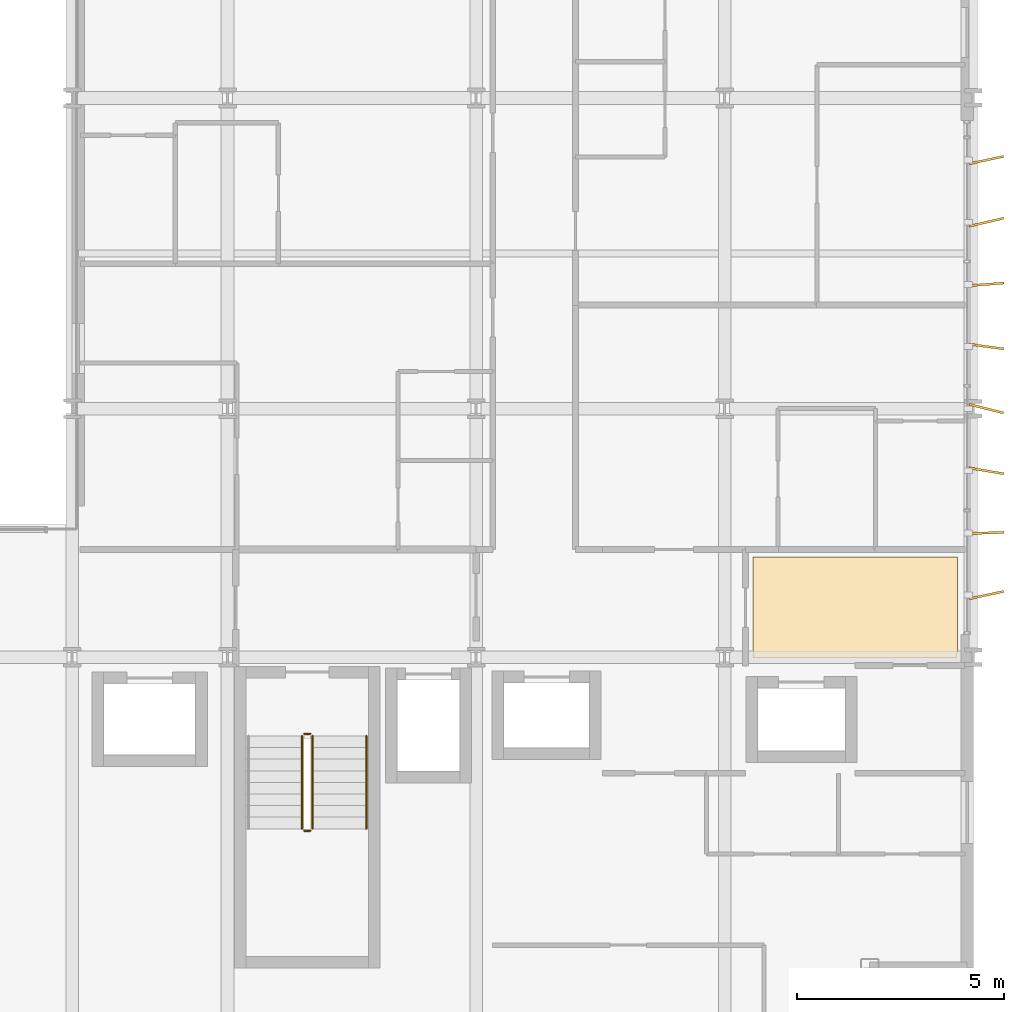
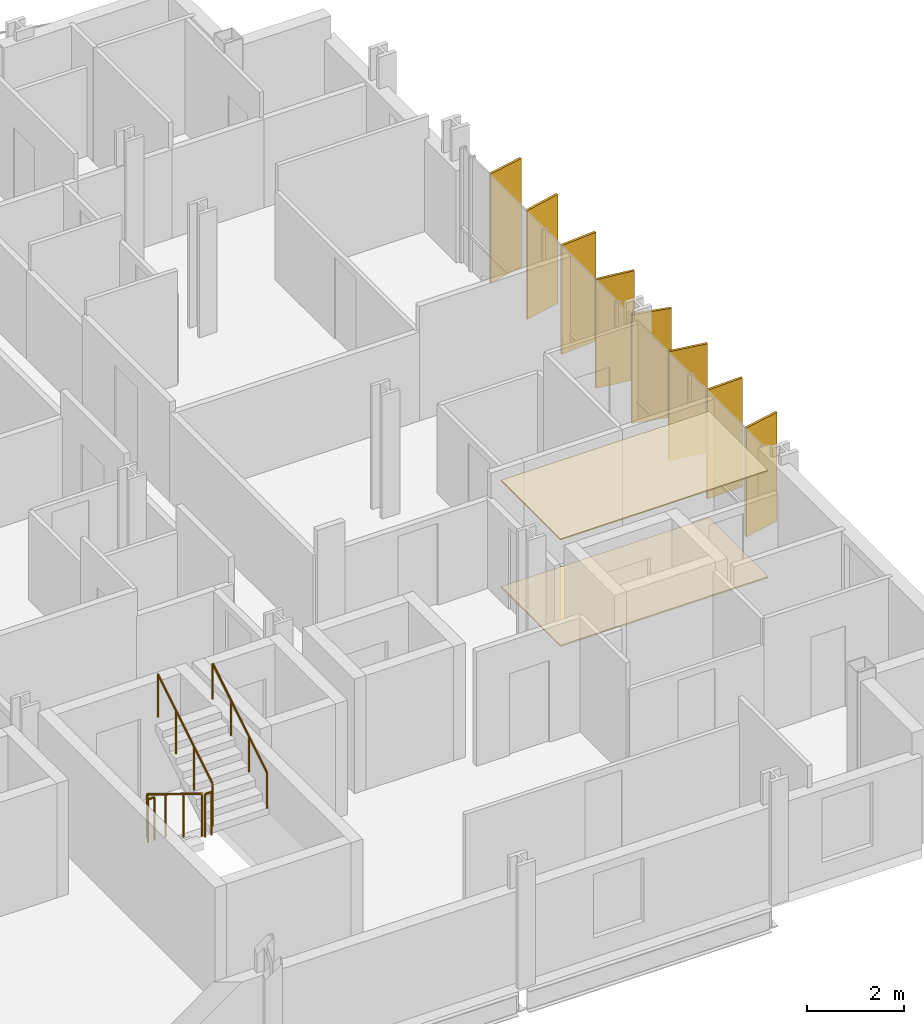
# One storey, part 37 of 38: 8 shading devices, 5 railings, 2 coverings.
"""IFC4 building model written with IfcOpenShell, lengths in metres."""

from ifc_helpers import new_model, si_unit, direction, frame, origin, origin_2d, place, context, subcontext, project, spatial, polyline, rectangle, circle, outline, extrude, material, layer, layer_set, type_object, element, save


model = new_model("IFC4")

# Units and contexts
model_context = context("Model", 3, precision=1e-05, world=origin(), true_north=direction((0.0, 1.0)))
body_context = subcontext(model_context, "Body", "Model", "MODEL_VIEW")
ifc_project = project(units=[si_unit("LENGTHUNIT", "METRE"), si_unit("AREAUNIT", "SQUARE_METRE"), si_unit("VOLUMEUNIT", "CUBIC_METRE"), si_unit("PLANEANGLEUNIT", "RADIAN"), si_unit("MASSUNIT", "GRAM", prefix="KILO")], contexts=[model_context])

# Site, building, storey
site_placement = place(None, origin())
site = spatial("IfcSite", under=ifc_project, at=site_placement, CompositionType="ELEMENT")
building_placement = place(site_placement, origin())
building = spatial("IfcBuilding", under=site, at=building_placement, Name="Brevholm Reach", CompositionType="ELEMENT")
storey_placement = place(building_placement, frame((0.0, 0.0, 52.800048828125)))
storey = spatial("IfcBuildingStorey", under=building, at=storey_placement, Name="L14", CompositionType="ELEMENT", Elevation=52.800048828125)

# Coverings
ifc_material_1 = material(Name="Moisture-Resistant Skimmed Gypsum Plasterboard Ceiling", Category="gypsum")
ifc_layer_1 = layer(ifc_material_1, 0.030029296875)
ifc_layer_set_1 = layer_set([ifc_layer_1], Name="Moisture-Resistant Skimmed Gypsum Plasterboard Ceiling")
covering_type_1 = type_object("IfcCoveringType", Name="COV-CLG-GYP", PredefinedType="CEILING", material=ifc_layer_set_1)
covering_1_placement = place(storey_placement, frame((0.0, 0.0, 2.669921875)))
element("IfcCovering", 1, at=covering_1_placement, inside=storey, type_object=covering_type_1, Name="L14 Suspended Ceiling L14-33", PredefinedType="CEILING", context=body_context, shape_type="SweptSolid", body=[
    extrude(outline(polyline([(59.6201171875, 12.419921875), (59.6201171875, 10.123779296875), (59.6171875, 10.1162109375), (59.607666015625, 10.077880859375), (59.601806640625, 10.039306640625), (59.60009765625, 10.0), (59.60107421875, 9.97998046875), (54.68408203125, 9.97998046875), (54.68408203125, 12.419921875), (59.6201171875, 12.419921875)])), origin(), (0.0, 0.0, 1.0), 0.030029296875),
])
ifc_material_2 = material(Name="Honed Portland-Aggregate Resin Terrazzo Flooring", Category="concrete")
ifc_layer_2 = layer(ifc_material_2, 0.031982421875)
ifc_layer_set_2 = layer_set([ifc_layer_2], Name="Honed Portland-Aggregate Resin Terrazzo Flooring")
covering_type_2 = type_object("IfcCoveringType", Name="COV-FLR-TRZ", PredefinedType="FLOORING", material=ifc_layer_set_2)
covering_2_placement = place(storey_placement, origin())
element("IfcCovering", 2, at=covering_2_placement, inside=storey, type_object=covering_type_2, Name="L14 Floor Finish L14-33", PredefinedType="FLOORING", context=body_context, shape_type="SweptSolid", body=[
    extrude(outline(polyline([(59.6201171875, 12.419921875), (59.6201171875, 10.123779296875), (59.6171875, 10.1162109375), (59.607666015625, 10.077880859375), (59.601806640625, 10.039306640625), (59.60009765625, 10.0), (59.60107421875, 9.97998046875), (54.68408203125, 9.97998046875), (54.68408203125, 12.419921875), (59.6201171875, 12.419921875)])), origin(), (0.0, 0.0, 1.0), 0.031982421875),
])

# Railings
ifc_material_3 = material(Name="Brushed Stainless Steel EN 1.4401 Continuous Handrail", Category="steel")
railing_type_1 = type_object("IfcRailingType", Name="RAL-HND-950", PredefinedType="HANDRAIL", material=ifc_material_3)
railing_1_placement = place(storey_placement, frame((45.35009765625, 5.860107421875, 1.72216796875)))
element("IfcRailing", 3, at=railing_1_placement, inside=storey, type_object=railing_type_1, Name="L14 ST-2 stair handrail 2", PredefinedType="HANDRAIL", context=body_context, shape_type="SweptSolid", body=[
    extrude(circle(Radius=0.02392578125, at=origin_2d()), frame((0.0, 0.0, 0.8857421875), z_axis=(0.0, 0.85178898068, 0.523885037382), x_axis=(-1.0, 0.0, 0.0)), (0.0, 0.0, 1.0), 2.629638671875),
    extrude(circle(Radius=0.02099609375, at=origin_2d()), origin(), (0.0, 0.0, 1.0), 0.86181640625),
    extrude(circle(Radius=0.02099609375, at=origin_2d()), frame((0.0, 0.74658203125, 0.459228515625)), (0.0, 0.0, 1.0), 0.86181640625),
    extrude(circle(Radius=0.02099609375, at=origin_2d()), frame((0.0, 1.493408203125, 0.91845703125)), (0.0, 0.0, 1.0), 0.86181640625),
    extrude(circle(Radius=0.02099609375, at=origin_2d()), frame((0.0, 2.239990234375, 1.377685546875)), (0.0, 0.0, 1.0), 0.86181640625),
])
ifc_material_4 = material(Name="Painted Tubular Galvanised Steel S275JR Stair Guard", Category="steel")
railing_type_2 = type_object("IfcRailingType", Name="RAL-STG-1120", PredefinedType="BALUSTRADE", material=ifc_material_4)
railing_2_placement = place(storey_placement, frame((43.800048828125, 8.10009765625, 0.172119140625)))
element("IfcRailing", 4, at=railing_2_placement, inside=storey, type_object=railing_type_2, Name="L14 ST-2 stair guard 1", PredefinedType="BALUSTRADE", context=body_context, shape_type="SweptSolid", body=[
    extrude(circle(Radius=0.02392578125, at=origin_2d()), frame((0.0, 0.0, 1.076171875), z_axis=(0.0, -0.851747552033, 0.523952390591), x_axis=(1.0, 0.0, 0.0)), (0.0, 0.0, 1.0), 2.6298828125),
    extrude(circle(Radius=0.02099609375, at=origin_2d()), origin(), (0.0, 0.0, 1.0), 1.052001953125),
    extrude(circle(Radius=0.02099609375, at=origin_2d()), frame((0.0, -0.74658203125, 0.459228515625)), (0.0, 0.0, 1.0), 1.052001953125),
    extrude(circle(Radius=0.02099609375, at=origin_2d()), frame((0.0, -1.493408203125, 0.918701171875)), (0.0, 0.0, 1.0), 1.052001953125),
    extrude(circle(Radius=0.02099609375, at=origin_2d()), frame((0.0, -2.239990234375, 1.3779296875)), (0.0, 0.0, 1.0), 1.052001953125),
])
railing_3_placement = place(storey_placement, frame((43.85009765625, 5.81005859375, 1.550048828125)))
element("IfcRailing", 5, at=railing_3_placement, inside=storey, type_object=railing_type_2, Name="L14 ST-2 stair guard 2", PredefinedType="BALUSTRADE", context=body_context, shape_type="SweptSolid", body=[
    extrude(circle(Radius=0.02392578125, at=origin_2d()), frame((0.0, 0.0, 1.076171875), z_axis=(1.0, 0.0, 0.0), x_axis=(0.0, 1.0, 0.0)), (0.0, 0.0, 1.0), 0.14990234375),
    extrude(circle(Radius=0.02099609375, at=origin_2d()), origin(), (0.0, 0.0, 1.0), 1.052001953125),
    extrude(circle(Radius=0.02099609375, at=origin_2d()), frame((0.14990234375, 0.0, 0.0)), (0.0, 0.0, 1.0), 1.052001953125),
])
railing_4_placement = place(storey_placement, frame((44.050048828125, 5.860107421875, 1.72216796875)))
element("IfcRailing", 6, at=railing_4_placement, inside=storey, type_object=railing_type_2, Name="L14 ST-2 stair guard 3", PredefinedType="BALUSTRADE", context=body_context, shape_type="SweptSolid", body=[
    extrude(circle(Radius=0.02392578125, at=origin_2d()), frame((0.0, 0.0, 1.076171875), z_axis=(0.0, 0.85178898068, 0.523885037382), x_axis=(-1.0, 0.0, 0.0)), (0.0, 0.0, 1.0), 2.629638671875),
    extrude(circle(Radius=0.02099609375, at=origin_2d()), origin(), (0.0, 0.0, 1.0), 1.052001953125),
    extrude(circle(Radius=0.02099609375, at=origin_2d()), frame((0.0, 0.74658203125, 0.459228515625)), (0.0, 0.0, 1.0), 1.052001953125),
    extrude(circle(Radius=0.02099609375, at=origin_2d()), frame((0.0, 1.493408203125, 0.91845703125)), (0.0, 0.0, 1.0), 1.052001953125),
    extrude(circle(Radius=0.02099609375, at=origin_2d()), frame((0.0, 2.239990234375, 1.377685546875)), (0.0, 0.0, 1.0), 1.052001953125),
])
railing_5_placement = place(storey_placement, frame((43.85009765625, 8.14990234375, 0.0)))
element("IfcRailing", 7, at=railing_5_placement, inside=storey, type_object=railing_type_2, Name="L14 ST-2 stair guard 4", PredefinedType="BALUSTRADE", context=body_context, shape_type="SweptSolid", body=[
    extrude(circle(Radius=0.02392578125, at=origin_2d()), frame((0.0, 0.0, 1.076171875), z_axis=(1.0, 0.0, 0.0), x_axis=(0.0, 1.0, 0.0)), (0.0, 0.0, 1.0), 0.14990234375),
    extrude(circle(Radius=0.02099609375, at=origin_2d()), origin(), (0.0, 0.0, 1.0), 1.052001953125),
    extrude(circle(Radius=0.02099609375, at=origin_2d()), frame((0.14990234375, 0.0, 0.0)), (0.0, 0.0, 1.0), 1.052001953125),
])

# Shading devices
ifc_material_5 = material(Name="Perforated Champagne-Bronze Anodised Aluminium", Category="aluminium")
ifc_layer_3 = layer(ifc_material_5, 0.054931640625)
ifc_layer_set_3 = layer_set([ifc_layer_3], Name="Perforated Champagne-Bronze Anodised Aluminium")
shading_device_type = type_object("IfcShadingDeviceType", Name="SHD-FIN-850", PredefinedType="USERDEFINED", material=ifc_layer_set_3)
for number, where, z_axis, x_axis, name in (
    (8, (60.31494140625, 11.5, 0.070068359375), (0.0, 0.0, 1.0), (0.978056789035, 0.208338468418, 0.0), "L14 Perforated Solar Screen Fin 1"),
    (9, (60.31494140625, 13.0, 0.070068359375), (0.0, 0.0, 1.0), (0.999454835536, 0.03301562849, 0.0), "L14 Perforated Solar Screen Fin 2"),
    (10, (60.31494140625, 14.5, 0.070068359375), (0.0, 0.0, 1.0), (0.985806209477, -0.167887216182, 0.0), "L14 Perforated Solar Screen Fin 3"),
    (11, (60.31494140625, 16.0, 0.070068359375), (0.0, 0.0, 1.0), (0.970527507541, -0.240990367248, 0.0), "L14 Perforated Solar Screen Fin 4"),
    (12, (60.31494140625, 17.5, 0.070068359375), (0.0, 0.0, 1.0), (0.990926988776, -0.134401275724, 0.0), "L14 Perforated Solar Screen Fin 5"),
    (13, (60.31494140625, 19.0, 0.070068359375), (0.0, 0.0, 1.0), (0.997166782998, 0.075222382879, 0.0), "L14 Perforated Solar Screen Fin 6"),
    (14, (60.31494140625, 20.5, 0.070068359375), (0.0, 0.0, 1.0), (0.973964098509, 0.226702304389, 0.0), "L14 Perforated Solar Screen Fin 7"),
    (15, (60.31494140625, 22.0, 0.070068359375), (0.0, 0.0, 1.0), (0.978056789035, 0.208338468418, 0.0), "L14 Perforated Solar Screen Fin 8"),
):
    element("IfcShadingDevice", number, at=place(storey_placement, frame(where, z_axis=z_axis, x_axis=x_axis)), inside=storey, type_object=shading_device_type, Name=name, ObjectType="SCREEN", PredefinedType="USERDEFINED", context=body_context, shape_type="SweptSolid", body=[
        extrude(rectangle(XDim=0.85009765625, YDim=0.054931640625, at=origin_2d()), origin(), (0.0, 0.0, 1.0), 2.72998046875),
    ])

save(model, "model.ifc")
